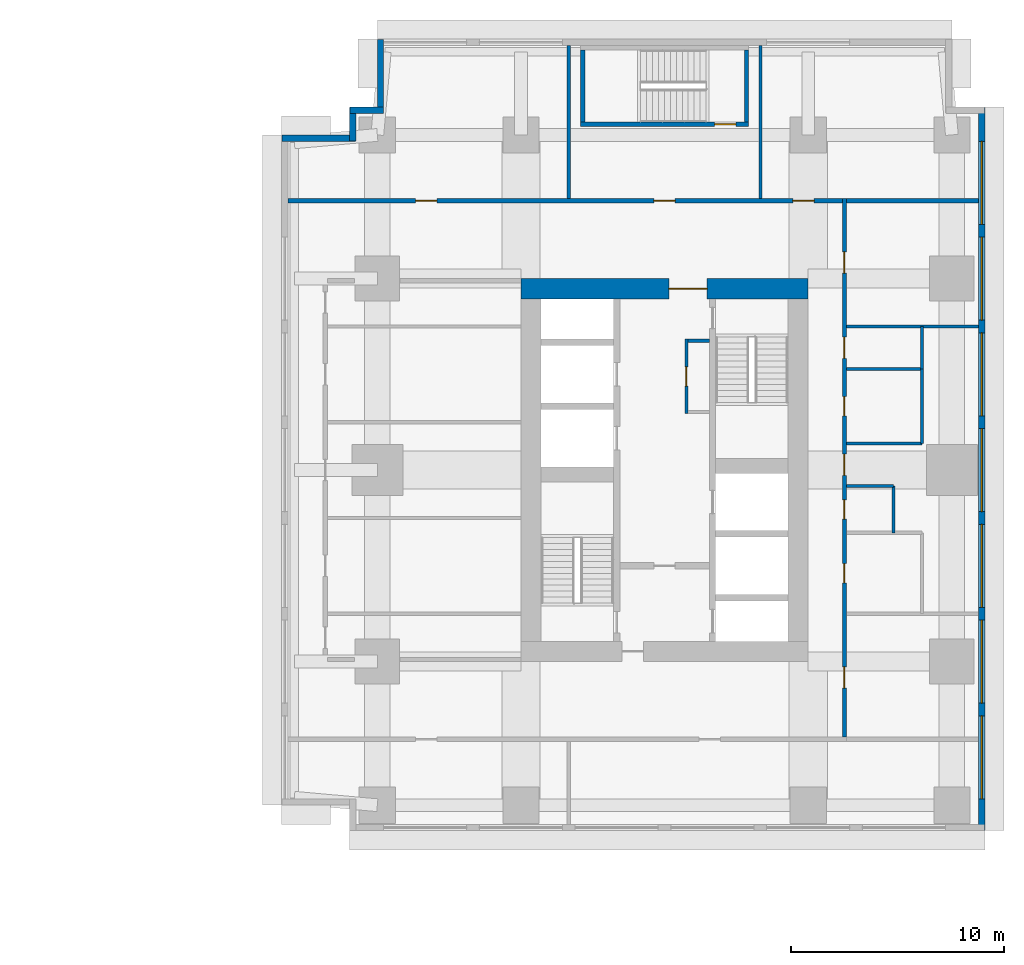
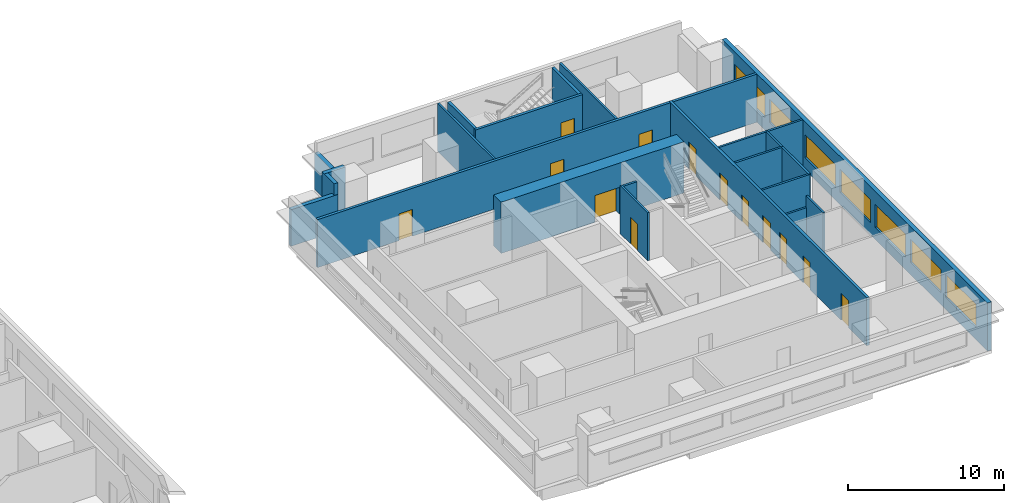
# One storey, part 7 of 11: 23 walls, 13 doors, 7 windows, 20 openings.
"""IFC4 building model written with IfcOpenShell, lengths in metres."""

from ifc_helpers import new_model, si_unit, direction, frame, frame_2d, origin, place, context, subcontext, project, spatial, rectangle, extrude, material, layer, layer_set, type_object, element, fill, save


model = new_model("IFC4")

# Units and contexts
model_context = context("Model", 3, precision=1e-05, world=origin(), true_north=direction((0.0, 1.0)))
body_context = subcontext(model_context, "Body", "Model", "MODEL_VIEW")
ifc_project = project(units=[si_unit("LENGTHUNIT", "METRE"), si_unit("AREAUNIT", "SQUARE_METRE"), si_unit("VOLUMEUNIT", "CUBIC_METRE"), si_unit("PLANEANGLEUNIT", "RADIAN"), si_unit("MASSUNIT", "GRAM", prefix="KILO")], contexts=[model_context])

# Site, building, storey
site_placement = place(None, origin())
site = spatial("IfcSite", under=ifc_project, at=site_placement, CompositionType="ELEMENT")
building_placement = place(site_placement, origin())
building = spatial("IfcBuilding", under=site, at=building_placement, Name="Namib Vertical Campus", CompositionType="ELEMENT")
storey_placement = place(building_placement, frame((0.0, 0.0, 93.0)))
storey = spatial("IfcBuildingStorey", under=building, at=storey_placement, Name="L21", CompositionType="ELEMENT", Elevation=93.0)

# Wall, opening, door
ifc_material_1 = material(Name="Concrete C60/75", Category="concrete")
ifc_layer_1 = layer(ifc_material_1, 0.949951171875)
ifc_layer_set_1 = layer_set([ifc_layer_1], Name="Concrete C60/75")
wall_type_1 = type_object("IfcWallType", Name="Core wall 950", PredefinedType="SHEAR", material=ifc_layer_set_1)
wall_1_placement = place(storey_placement, frame((87.75, 28.77490234375, 0.0), z_axis=(0.0, 0.0, 1.0), x_axis=(-1.0, 0.0, 0.0)))
wall_1 = element("IfcWall", 1, at=wall_1_placement, inside=storey, type_object=wall_type_1, Name="Core wall B L21 3", PredefinedType="SHEAR", context=body_context, shape_type="SweptSolid", body=[
    extrude(rectangle(XDim=13.5, YDim=0.949951171875, at=frame_2d((6.75, 0.0))), origin(), (0.0, 0.0, 1.0), 4.0),
])
opening_1_placement = place(wall_1_placement, frame((4.75, 0.0, 0.0)))
opening_1 = element("IfcOpeningElement", 2, at=opening_1_placement, cuts=wall_1, Name="Opening FD2", PredefinedType="OPENING", context=body_context, shape_type="SweptSolid", body=[
    extrude(rectangle(XDim=1.800048828125, YDim=2.10009765625, at=frame_2d((0.89990234375, 1.050048828125))), frame((0.0, 0.48486328125, 0.0), z_axis=(0.0, -1.0, 0.0), x_axis=(1.0, 0.0, 0.0)), (0.0, 0.0, 1.0), 0.969970703125),
])
ifc_material_2 = material(Name="Steel fire door", Category="steel")
door_type_1 = type_object("IfcDoorType", Name="Fire door double 1800x2100", OperationType="DOUBLE_DOOR_SINGLE_SWING", PredefinedType="DOOR", material=ifc_material_2)
door_1_placement = place(opening_1_placement, origin())
door_1 = element("IfcDoor", 3, at=door_1_placement, inside=storey, type_object=door_type_1, Name="Lift lobby door FD2 B L21", OperationType="DOUBLE_DOOR_SINGLE_SWING", OverallHeight=2.10009765625, OverallWidth=1.800048828125, PredefinedType="DOOR", context=body_context, shape_type="SweptSolid", body=[
    extrude(rectangle(XDim=1.800048828125, YDim=2.10009765625, at=frame_2d((0.89990234375, 1.050048828125))), frame((0.0, 0.02490234375, 0.0), z_axis=(0.0, -1.0, 0.0), x_axis=(1.0, 0.0, 0.0)), (0.0, 0.0, 1.0), 0.050048828125),
])
fill(opening_1, door_1)

# Wall, openings, doors
ifc_material_3 = material(Name="Concrete masonry", Category="masonry")
ifc_layer_2 = layer(ifc_material_3, 0.199951171875)
ifc_layer_set_2 = layer_set([ifc_layer_2], Name="Corridor wall 200")
wall_type_2 = type_object("IfcWallType", Name="Corridor wall 200", PredefinedType="SOLIDWALL", material=ifc_layer_set_2)
wall_2_placement = place(storey_placement, frame((89.449951171875, 7.699951171875, 0.0), z_axis=(0.0, 0.0, 1.0), x_axis=(0.0, 1.0, 0.0)))
wall_2 = element("IfcWall", 4, at=wall_2_placement, inside=storey, type_object=wall_type_2, Name="Corridor wall B L21 CE", PredefinedType="SOLIDWALL", context=body_context, shape_type="SweptSolid", body=[
    extrude(rectangle(XDim=25.300048828125, YDim=0.199951171875, at=frame_2d((12.64990234375, 0.0))), origin(), (0.0, 0.0, 1.0), 3.75),
])
opening_2_placement = place(wall_2_placement, frame((2.300048828125, 0.0, 0.0)))
opening_2 = element("IfcOpeningElement", 5, at=opening_2_placement, cuts=wall_2, Name="Opening CD1", PredefinedType="OPENING", context=body_context, shape_type="SweptSolid", body=[
    extrude(rectangle(XDim=1.0, YDim=2.10009765625, at=frame_2d((0.5, 1.050048828125))), frame((0.0, 0.10986328125, 0.0), z_axis=(0.0, -1.0, 0.0), x_axis=(1.0, 0.0, 0.0)), (0.0, 0.0, 1.0), 0.219970703125),
])
opening_3_placement = place(wall_2_placement, frame((7.25, 0.0, 0.0)))
opening_3 = element("IfcOpeningElement", 6, at=opening_3_placement, cuts=wall_2, Name="Opening CD3", PredefinedType="OPENING", context=body_context, shape_type="SweptSolid", body=[
    extrude(rectangle(XDim=0.89990234375, YDim=2.10009765625, at=frame_2d((0.449951171875, 1.050048828125))), frame((0.0, 0.10986328125, 0.0), z_axis=(0.0, -1.0, 0.0), x_axis=(1.0, 0.0, 0.0)), (0.0, 0.0, 1.0), 0.219970703125),
])
opening_4_placement = place(wall_2_placement, frame((10.25, 0.0, 0.0)))
opening_4 = element("IfcOpeningElement", 7, at=opening_4_placement, cuts=wall_2, Name="Opening CD3", PredefinedType="OPENING", context=body_context, shape_type="SweptSolid", body=[
    extrude(rectangle(XDim=0.89990234375, YDim=2.10009765625, at=frame_2d((0.449951171875, 1.050048828125))), frame((0.0, 0.10986328125, 0.0), z_axis=(0.0, -1.0, 0.0), x_axis=(1.0, 0.0, 0.0)), (0.0, 0.0, 1.0), 0.219970703125),
])
opening_5_placement = place(wall_2_placement, frame((15.10009765625, 0.0, 0.0)))
opening_5 = element("IfcOpeningElement", 8, at=opening_5_placement, cuts=wall_2, Name="Opening CD3", PredefinedType="OPENING", context=body_context, shape_type="SweptSolid", body=[
    extrude(rectangle(XDim=0.89990234375, YDim=2.10009765625, at=frame_2d((0.449951171875, 1.050048828125))), frame((0.0, 0.10986328125, 0.0), z_axis=(0.0, -1.0, 0.0), x_axis=(1.0, 0.0, 0.0)), (0.0, 0.0, 1.0), 0.219970703125),
])
opening_6_placement = place(wall_2_placement, frame((17.800048828125, 0.0, 0.0)))
opening_6 = element("IfcOpeningElement", 9, at=opening_6_placement, cuts=wall_2, Name="Opening CD1", PredefinedType="OPENING", context=body_context, shape_type="SweptSolid", body=[
    extrude(rectangle(XDim=1.0, YDim=2.10009765625, at=frame_2d((0.5, 1.050048828125))), frame((0.0, 0.10986328125, 0.0), z_axis=(0.0, -1.0, 0.0), x_axis=(1.0, 0.0, 0.0)), (0.0, 0.0, 1.0), 0.219970703125),
])
opening_7_placement = place(wall_2_placement, frame((12.300048828125, 0.0, 0.0)))
opening_7 = element("IfcOpeningElement", 10, at=opening_7_placement, cuts=wall_2, Name="Opening CD1", PredefinedType="OPENING", context=body_context, shape_type="SweptSolid", body=[
    extrude(rectangle(XDim=1.0, YDim=2.10009765625, at=frame_2d((0.5, 1.050048828125))), frame((0.0, 0.10986328125, 0.0), z_axis=(0.0, -1.0, 0.0), x_axis=(1.0, 0.0, 0.0)), (0.0, 0.0, 1.0), 0.219970703125),
])
opening_8_placement = place(wall_2_placement, frame((21.800048828125, 0.0, 0.0)))
opening_8 = element("IfcOpeningElement", 11, at=opening_8_placement, cuts=wall_2, Name="Opening CD1", PredefinedType="OPENING", context=body_context, shape_type="SweptSolid", body=[
    extrude(rectangle(XDim=1.0, YDim=2.10009765625, at=frame_2d((0.5, 1.050048828125))), frame((0.0, 0.10986328125, 0.0), z_axis=(0.0, -1.0, 0.0), x_axis=(1.0, 0.0, 0.0)), (0.0, 0.0, 1.0), 0.219970703125),
])
ifc_material_4 = material(Name="Timber fire door leaf", Category="wood")
door_type_2 = type_object("IfcDoorType", Name="Corridor door 1000x2100 20 min", OperationType="SINGLE_SWING_LEFT", PredefinedType="DOOR", material=ifc_material_4)
door_2_placement = place(opening_2_placement, frame((1.0, 0.0, 0.0), z_axis=(0.0, 0.0, 1.0), x_axis=(-1.0, 0.0, 0.0)))
door_2 = element("IfcDoor", 12, at=door_2_placement, inside=storey, type_object=door_type_2, Name="Door CD1 B21-03", OperationType="SINGLE_SWING_RIGHT", OverallHeight=2.10009765625, OverallWidth=1.0, PredefinedType="DOOR", context=body_context, shape_type="SweptSolid", body=[
    extrude(rectangle(XDim=1.0, YDim=2.10009765625, at=frame_2d((0.5, 1.050048828125))), frame((0.0, 0.02490234375, 0.0), z_axis=(0.0, -1.0, 0.0), x_axis=(1.0, 0.0, 0.0)), (0.0, 0.0, 1.0), 0.050048828125),
])
fill(opening_2, door_2)
door_3_placement = place(opening_6_placement, frame((1.0, 0.0, 0.0), z_axis=(0.0, 0.0, 1.0), x_axis=(-1.0, 0.0, 0.0)))
door_3 = element("IfcDoor", 13, at=door_3_placement, inside=storey, type_object=door_type_2, Name="Door CD1 B21-07", OperationType="SINGLE_SWING_RIGHT", OverallHeight=2.10009765625, OverallWidth=1.0, PredefinedType="DOOR", context=body_context, shape_type="SweptSolid", body=[
    extrude(rectangle(XDim=1.0, YDim=2.10009765625, at=frame_2d((0.5, 1.050048828125))), frame((0.0, 0.02490234375, 0.0), z_axis=(0.0, -1.0, 0.0), x_axis=(1.0, 0.0, 0.0)), (0.0, 0.0, 1.0), 0.050048828125),
])
fill(opening_6, door_3)
door_4_placement = place(opening_7_placement, frame((1.0, 0.0, 0.0), z_axis=(0.0, 0.0, 1.0), x_axis=(-1.0, 0.0, 0.0)))
door_4 = element("IfcDoor", 14, at=door_4_placement, inside=storey, type_object=door_type_2, Name="Door CD1 B21-08", OperationType="SINGLE_SWING_RIGHT", OverallHeight=2.10009765625, OverallWidth=1.0, PredefinedType="DOOR", context=body_context, shape_type="SweptSolid", body=[
    extrude(rectangle(XDim=1.0, YDim=2.10009765625, at=frame_2d((0.5, 1.050048828125))), frame((0.0, 0.02490234375, 0.0), z_axis=(0.0, -1.0, 0.0), x_axis=(1.0, 0.0, 0.0)), (0.0, 0.0, 1.0), 0.050048828125),
])
fill(opening_7, door_4)
door_5_placement = place(opening_8_placement, frame((1.0, 0.0, 0.0), z_axis=(0.0, 0.0, 1.0), x_axis=(-1.0, 0.0, 0.0)))
door_5 = element("IfcDoor", 15, at=door_5_placement, inside=storey, type_object=door_type_2, Name="Door CD1 B21-09", OperationType="SINGLE_SWING_RIGHT", OverallHeight=2.10009765625, OverallWidth=1.0, PredefinedType="DOOR", context=body_context, shape_type="SweptSolid", body=[
    extrude(rectangle(XDim=1.0, YDim=2.10009765625, at=frame_2d((0.5, 1.050048828125))), frame((0.0, 0.02490234375, 0.0), z_axis=(0.0, -1.0, 0.0), x_axis=(1.0, 0.0, 0.0)), (0.0, 0.0, 1.0), 0.050048828125),
])
fill(opening_8, door_5)
ifc_material_5 = material(Name="Timber fire door leaf", Category="wood")
door_type_3 = type_object("IfcDoorType", Name="Corridor toilet door 900x2100 20 min", OperationType="SINGLE_SWING_LEFT", PredefinedType="DOOR", material=ifc_material_5)
door_6_placement = place(opening_3_placement, frame((0.89990234375, 0.0, 0.0), z_axis=(0.0, 0.0, 1.0), x_axis=(-1.0, 0.0, 0.0)))
door_6 = element("IfcDoor", 16, at=door_6_placement, inside=storey, type_object=door_type_3, Name="Door CD3 B21-04", OperationType="SINGLE_SWING_RIGHT", OverallHeight=2.10009765625, OverallWidth=0.89990234375, PredefinedType="DOOR", context=body_context, shape_type="SweptSolid", body=[
    extrude(rectangle(XDim=0.89990234375, YDim=2.10009765625, at=frame_2d((0.449951171875, 1.050048828125))), frame((0.0, 0.02490234375, 0.0), z_axis=(0.0, -1.0, 0.0), x_axis=(1.0, 0.0, 0.0)), (0.0, 0.0, 1.0), 0.050048828125),
])
fill(opening_3, door_6)
door_7_placement = place(opening_4_placement, frame((0.89990234375, 0.0, 0.0), z_axis=(0.0, 0.0, 1.0), x_axis=(-1.0, 0.0, 0.0)))
door_7 = element("IfcDoor", 17, at=door_7_placement, inside=storey, type_object=door_type_3, Name="Door CD3 B21-05", OperationType="SINGLE_SWING_RIGHT", OverallHeight=2.10009765625, OverallWidth=0.89990234375, PredefinedType="DOOR", context=body_context, shape_type="SweptSolid", body=[
    extrude(rectangle(XDim=0.89990234375, YDim=2.10009765625, at=frame_2d((0.449951171875, 1.050048828125))), frame((0.0, 0.02490234375, 0.0), z_axis=(0.0, -1.0, 0.0), x_axis=(1.0, 0.0, 0.0)), (0.0, 0.0, 1.0), 0.050048828125),
])
fill(opening_4, door_7)
door_8_placement = place(opening_5_placement, frame((0.89990234375, 0.0, 0.0), z_axis=(0.0, 0.0, 1.0), x_axis=(-1.0, 0.0, 0.0)))
door_8 = element("IfcDoor", 18, at=door_8_placement, inside=storey, type_object=door_type_3, Name="Door CD3 B21-06", OperationType="SINGLE_SWING_RIGHT", OverallHeight=2.10009765625, OverallWidth=0.89990234375, PredefinedType="DOOR", context=body_context, shape_type="SweptSolid", body=[
    extrude(rectangle(XDim=0.89990234375, YDim=2.10009765625, at=frame_2d((0.449951171875, 1.050048828125))), frame((0.0, 0.02490234375, 0.0), z_axis=(0.0, -1.0, 0.0), x_axis=(1.0, 0.0, 0.0)), (0.0, 0.0, 1.0), 0.050048828125),
])
fill(opening_5, door_8)

wall_3_placement = place(storey_placement, frame((89.35009765625, 32.89990234375, 0.0), z_axis=(0.0, 0.0, 1.0), x_axis=(-1.0, 0.0, 0.0)))
wall_3 = element("IfcWall", 19, at=wall_3_placement, inside=storey, type_object=wall_type_2, Name="Corridor wall B L21 CN", PredefinedType="SOLIDWALL", context=body_context, shape_type="SweptSolid", body=[
    extrude(rectangle(XDim=26.050048828125, YDim=0.199951171875, at=frame_2d((13.02490234375, 0.0))), origin(), (0.0, 0.0, 1.0), 3.75),
])
opening_9_placement = place(wall_3_placement, frame((19.050048828125, 0.0, 0.0)))
opening_9 = element("IfcOpeningElement", 20, at=opening_9_placement, cuts=wall_3, Name="Opening CD1", PredefinedType="OPENING", context=body_context, shape_type="SweptSolid", body=[
    extrude(rectangle(XDim=1.0, YDim=2.10009765625, at=frame_2d((0.5, 1.050048828125))), frame((0.0, 0.10986328125, 0.0), z_axis=(0.0, -1.0, 0.0), x_axis=(1.0, 0.0, 0.0)), (0.0, 0.0, 1.0), 0.219970703125),
])
opening_10_placement = place(wall_3_placement, frame((7.85009765625, 0.0, 0.0)))
opening_10 = element("IfcOpeningElement", 21, at=opening_10_placement, cuts=wall_3, Name="Opening CD1", PredefinedType="OPENING", context=body_context, shape_type="SweptSolid", body=[
    extrude(rectangle(XDim=1.0, YDim=2.10009765625, at=frame_2d((0.5, 1.050048828125))), frame((0.0, 0.10986328125, 0.0), z_axis=(0.0, -1.0, 0.0), x_axis=(1.0, 0.0, 0.0)), (0.0, 0.0, 1.0), 0.219970703125),
])
opening_11_placement = place(wall_3_placement, frame((1.324951171875, 0.0, 0.0)))
opening_11 = element("IfcOpeningElement", 22, at=opening_11_placement, cuts=wall_3, Name="Opening CD1", PredefinedType="OPENING", context=body_context, shape_type="SweptSolid", body=[
    extrude(rectangle(XDim=1.0, YDim=2.10009765625, at=frame_2d((0.5, 1.050048828125))), frame((0.0, 0.10986328125, 0.0), z_axis=(0.0, -1.0, 0.0), x_axis=(1.0, 0.0, 0.0)), (0.0, 0.0, 1.0), 0.219970703125),
])
door_9_placement = place(opening_9_placement, frame((1.0, 0.0, 0.0), z_axis=(0.0, 0.0, 1.0), x_axis=(-1.0, 0.0, 0.0)))
door_9 = element("IfcDoor", 23, at=door_9_placement, inside=storey, type_object=door_type_2, Name="Door CD1 B21-10", OperationType="SINGLE_SWING_RIGHT", OverallHeight=2.10009765625, OverallWidth=1.0, PredefinedType="DOOR", context=body_context, shape_type="SweptSolid", body=[
    extrude(rectangle(XDim=1.0, YDim=2.10009765625, at=frame_2d((0.5, 1.050048828125))), frame((0.0, 0.02490234375, 0.0), z_axis=(0.0, -1.0, 0.0), x_axis=(1.0, 0.0, 0.0)), (0.0, 0.0, 1.0), 0.050048828125),
])
fill(opening_9, door_9)
door_10_placement = place(opening_10_placement, frame((1.0, 0.0, 0.0), z_axis=(0.0, 0.0, 1.0), x_axis=(-1.0, 0.0, 0.0)))
door_10 = element("IfcDoor", 24, at=door_10_placement, inside=storey, type_object=door_type_2, Name="Door CD1 B21-11", OperationType="SINGLE_SWING_RIGHT", OverallHeight=2.10009765625, OverallWidth=1.0, PredefinedType="DOOR", context=body_context, shape_type="SweptSolid", body=[
    extrude(rectangle(XDim=1.0, YDim=2.10009765625, at=frame_2d((0.5, 1.050048828125))), frame((0.0, 0.02490234375, 0.0), z_axis=(0.0, -1.0, 0.0), x_axis=(1.0, 0.0, 0.0)), (0.0, 0.0, 1.0), 0.050048828125),
])
fill(opening_10, door_10)
door_11_placement = place(opening_11_placement, frame((1.0, 0.0, 0.0), z_axis=(0.0, 0.0, 1.0), x_axis=(-1.0, 0.0, 0.0)))
door_11 = element("IfcDoor", 25, at=door_11_placement, inside=storey, type_object=door_type_2, Name="Door CD1 B21-12", OperationType="SINGLE_SWING_LEFT", OverallHeight=2.10009765625, OverallWidth=1.0, PredefinedType="DOOR", context=body_context, shape_type="SweptSolid", body=[
    extrude(rectangle(XDim=1.0, YDim=2.10009765625, at=frame_2d((0.5, 1.050048828125))), frame((0.0, 0.02490234375, 0.0), z_axis=(0.0, -1.0, 0.0), x_axis=(1.0, 0.0, 0.0)), (0.0, 0.0, 1.0), 0.050048828125),
])
fill(opening_11, door_11)

# Wall
wall_4_placement = place(storey_placement, frame((89.550048828125, 32.89990234375, 0.0), z_axis=(0.0, 0.0, 1.0), x_axis=(1.0, 0.0, 0.0)))
element("IfcWall", 26, at=wall_4_placement, inside=storey, type_object=wall_type_2, Name="Partition B L21 BNE", PredefinedType="SOLIDWALL", context=body_context, shape_type="SweptSolid", body=[
    extrude(rectangle(XDim=6.199951171875, YDim=0.199951171875, at=frame_2d((3.10009765625, 0.0))), origin(), (0.0, 0.0, 1.0), 3.75),
])

# Wall, openings, windows
ifc_material_6 = material(Name="Concrete C40/50", Category="concrete")
ifc_layer_3 = layer(ifc_material_6, 0.300048828125)
ifc_layer_set_3 = layer_set([ifc_layer_3], Name="Concrete C40/50")
wall_type_3 = type_object("IfcWallType", Name="External wall 300 board-marked concrete", PredefinedType="STANDARD", material=ifc_layer_set_3)
wall_5_placement = place(storey_placement, frame((95.89990234375, 3.320068359375, 0.0), z_axis=(0.0, 0.0, 1.0), x_axis=(0.0, 1.0, 0.0)))
wall_5 = element("IfcWall", 27, at=wall_5_placement, inside=storey, type_object=wall_type_3, Name="External wall L21 F04", PredefinedType="STANDARD", context=body_context, shape_type="SweptSolid", body=[
    extrude(rectangle(XDim=33.9599609375, YDim=0.300048828125, at=frame_2d((16.97998046875, 0.0))), origin(), (0.0, 0.0, 1.0), 3.75),
])
opening_12_placement = place(wall_5_placement, frame((1.47998046875, 0.0, 0.949951171875)))
opening_12 = element("IfcOpeningElement", 28, at=opening_12_placement, cuts=wall_5, Name="Opening W3", PredefinedType="OPENING", context=body_context, shape_type="SweptSolid", body=[
    extrude(rectangle(XDim=3.89990234375, YDim=1.800048828125, at=frame_2d((1.949951171875, 0.89990234375))), frame((0.0, 0.159912109375, 0.0), z_axis=(0.0, -1.0, 0.0), x_axis=(1.0, 0.0, 0.0)), (0.0, 0.0, 1.0), 0.320068359375),
])
opening_13_placement = place(wall_5_placement, frame((5.97998046875, 0.0, 0.949951171875)))
opening_13 = element("IfcOpeningElement", 29, at=opening_13_placement, cuts=wall_5, Name="Opening W3", PredefinedType="OPENING", context=body_context, shape_type="SweptSolid", body=[
    extrude(rectangle(XDim=3.89990234375, YDim=1.800048828125, at=frame_2d((1.949951171875, 0.89990234375))), frame((0.0, 0.159912109375, 0.0), z_axis=(0.0, -1.0, 0.0), x_axis=(1.0, 0.0, 0.0)), (0.0, 0.0, 1.0), 0.320068359375),
])
opening_14_placement = place(wall_5_placement, frame((10.47998046875, 0.0, 0.949951171875)))
opening_14 = element("IfcOpeningElement", 30, at=opening_14_placement, cuts=wall_5, Name="Opening W3", PredefinedType="OPENING", context=body_context, shape_type="SweptSolid", body=[
    extrude(rectangle(XDim=3.89990234375, YDim=1.800048828125, at=frame_2d((1.949951171875, 0.89990234375))), frame((0.0, 0.159912109375, 0.0), z_axis=(0.0, -1.0, 0.0), x_axis=(1.0, 0.0, 0.0)), (0.0, 0.0, 1.0), 0.320068359375),
])
opening_15_placement = place(wall_5_placement, frame((14.97998046875, 0.0, 0.949951171875)))
opening_15 = element("IfcOpeningElement", 31, at=opening_15_placement, cuts=wall_5, Name="Opening W3", PredefinedType="OPENING", context=body_context, shape_type="SweptSolid", body=[
    extrude(rectangle(XDim=3.89990234375, YDim=1.800048828125, at=frame_2d((1.949951171875, 0.89990234375))), frame((0.0, 0.159912109375, 0.0), z_axis=(0.0, -1.0, 0.0), x_axis=(1.0, 0.0, 0.0)), (0.0, 0.0, 1.0), 0.320068359375),
])
opening_16_placement = place(wall_5_placement, frame((19.47998046875, 0.0, 0.949951171875)))
opening_16 = element("IfcOpeningElement", 32, at=opening_16_placement, cuts=wall_5, Name="Opening W3", PredefinedType="OPENING", context=body_context, shape_type="SweptSolid", body=[
    extrude(rectangle(XDim=3.89990234375, YDim=1.800048828125, at=frame_2d((1.949951171875, 0.89990234375))), frame((0.0, 0.159912109375, 0.0), z_axis=(0.0, -1.0, 0.0), x_axis=(1.0, 0.0, 0.0)), (0.0, 0.0, 1.0), 0.320068359375),
])
opening_17_placement = place(wall_5_placement, frame((23.97998046875, 0.0, 0.949951171875)))
opening_17 = element("IfcOpeningElement", 33, at=opening_17_placement, cuts=wall_5, Name="Opening W3", PredefinedType="OPENING", context=body_context, shape_type="SweptSolid", body=[
    extrude(rectangle(XDim=3.89990234375, YDim=1.800048828125, at=frame_2d((1.949951171875, 0.89990234375))), frame((0.0, 0.159912109375, 0.0), z_axis=(0.0, -1.0, 0.0), x_axis=(1.0, 0.0, 0.0)), (0.0, 0.0, 1.0), 0.320068359375),
])
opening_18_placement = place(wall_5_placement, frame((28.47998046875, 0.0, 0.949951171875)))
opening_18 = element("IfcOpeningElement", 34, at=opening_18_placement, cuts=wall_5, Name="Opening W3", PredefinedType="OPENING", context=body_context, shape_type="SweptSolid", body=[
    extrude(rectangle(XDim=3.89990234375, YDim=1.800048828125, at=frame_2d((1.949951171875, 0.89990234375))), frame((0.0, 0.159912109375, 0.0), z_axis=(0.0, -1.0, 0.0), x_axis=(1.0, 0.0, 0.0)), (0.0, 0.0, 1.0), 0.320068359375),
])
ifc_material_7 = material(Name="Dark tinted glass in black aluminium frame", Category="aluminium")
window_type = type_object("IfcWindowType", Name="Ribbon window 3900x1800", PartitioningType="SINGLE_PANEL", PredefinedType="WINDOW", material=ifc_material_7)
window_1_placement = place(opening_12_placement, origin())
window_1 = element("IfcWindow", 35, at=window_1_placement, inside=storey, type_object=window_type, Name="Window W3 L21 F04-1", OverallHeight=1.800048828125, OverallWidth=3.89990234375, PartitioningType="SINGLE_PANEL", PredefinedType="WINDOW", context=body_context, shape_type="SweptSolid", body=[
    extrude(rectangle(XDim=3.89990234375, YDim=1.800048828125, at=frame_2d((1.949951171875, 0.89990234375))), frame((0.0, 0.030029296875, 0.0), z_axis=(0.0, -1.0, 0.0), x_axis=(1.0, 0.0, 0.0)), (0.0, 0.0, 1.0), 0.06005859375),
])
fill(opening_12, window_1)
window_2_placement = place(opening_13_placement, origin())
window_2 = element("IfcWindow", 36, at=window_2_placement, inside=storey, type_object=window_type, Name="Window W3 L21 F04-2", OverallHeight=1.800048828125, OverallWidth=3.89990234375, PartitioningType="SINGLE_PANEL", PredefinedType="WINDOW", context=body_context, shape_type="SweptSolid", body=[
    extrude(rectangle(XDim=3.89990234375, YDim=1.800048828125, at=frame_2d((1.949951171875, 0.89990234375))), frame((0.0, 0.030029296875, 0.0), z_axis=(0.0, -1.0, 0.0), x_axis=(1.0, 0.0, 0.0)), (0.0, 0.0, 1.0), 0.06005859375),
])
fill(opening_13, window_2)
window_3_placement = place(opening_14_placement, origin())
window_3 = element("IfcWindow", 37, at=window_3_placement, inside=storey, type_object=window_type, Name="Window W3 L21 F04-3", OverallHeight=1.800048828125, OverallWidth=3.89990234375, PartitioningType="SINGLE_PANEL", PredefinedType="WINDOW", context=body_context, shape_type="SweptSolid", body=[
    extrude(rectangle(XDim=3.89990234375, YDim=1.800048828125, at=frame_2d((1.949951171875, 0.89990234375))), frame((0.0, 0.030029296875, 0.0), z_axis=(0.0, -1.0, 0.0), x_axis=(1.0, 0.0, 0.0)), (0.0, 0.0, 1.0), 0.06005859375),
])
fill(opening_14, window_3)
window_4_placement = place(opening_15_placement, origin())
window_4 = element("IfcWindow", 38, at=window_4_placement, inside=storey, type_object=window_type, Name="Window W3 L21 F04-4", OverallHeight=1.800048828125, OverallWidth=3.89990234375, PartitioningType="SINGLE_PANEL", PredefinedType="WINDOW", context=body_context, shape_type="SweptSolid", body=[
    extrude(rectangle(XDim=3.89990234375, YDim=1.800048828125, at=frame_2d((1.949951171875, 0.89990234375))), frame((0.0, 0.030029296875, 0.0), z_axis=(0.0, -1.0, 0.0), x_axis=(1.0, 0.0, 0.0)), (0.0, 0.0, 1.0), 0.06005859375),
])
fill(opening_15, window_4)
window_5_placement = place(opening_16_placement, origin())
window_5 = element("IfcWindow", 39, at=window_5_placement, inside=storey, type_object=window_type, Name="Window W3 L21 F04-5", OverallHeight=1.800048828125, OverallWidth=3.89990234375, PartitioningType="SINGLE_PANEL", PredefinedType="WINDOW", context=body_context, shape_type="SweptSolid", body=[
    extrude(rectangle(XDim=3.89990234375, YDim=1.800048828125, at=frame_2d((1.949951171875, 0.89990234375))), frame((0.0, 0.030029296875, 0.0), z_axis=(0.0, -1.0, 0.0), x_axis=(1.0, 0.0, 0.0)), (0.0, 0.0, 1.0), 0.06005859375),
])
fill(opening_16, window_5)
window_6_placement = place(opening_17_placement, origin())
window_6 = element("IfcWindow", 40, at=window_6_placement, inside=storey, type_object=window_type, Name="Window W3 L21 F04-6", OverallHeight=1.800048828125, OverallWidth=3.89990234375, PartitioningType="SINGLE_PANEL", PredefinedType="WINDOW", context=body_context, shape_type="SweptSolid", body=[
    extrude(rectangle(XDim=3.89990234375, YDim=1.800048828125, at=frame_2d((1.949951171875, 0.89990234375))), frame((0.0, 0.030029296875, 0.0), z_axis=(0.0, -1.0, 0.0), x_axis=(1.0, 0.0, 0.0)), (0.0, 0.0, 1.0), 0.06005859375),
])
fill(opening_17, window_6)
window_7_placement = place(opening_18_placement, origin())
window_7 = element("IfcWindow", 41, at=window_7_placement, inside=storey, type_object=window_type, Name="Window W3 L21 F04-7", OverallHeight=1.800048828125, OverallWidth=3.89990234375, PartitioningType="SINGLE_PANEL", PredefinedType="WINDOW", context=body_context, shape_type="SweptSolid", body=[
    extrude(rectangle(XDim=3.89990234375, YDim=1.800048828125, at=frame_2d((1.949951171875, 0.89990234375))), frame((0.0, 0.030029296875, 0.0), z_axis=(0.0, -1.0, 0.0), x_axis=(1.0, 0.0, 0.0)), (0.0, 0.0, 1.0), 0.06005859375),
])
fill(opening_18, window_7)

# Walls
wall_6_placement = place(storey_placement, frame((67.64990234375, 40.47998046875, 0.0), z_axis=(0.0, 0.0, 1.0), x_axis=(0.0, -1.0, 0.0)))
element("IfcWall", 42, at=wall_6_placement, inside=storey, type_object=wall_type_3, Name="External wall L21 F08", PredefinedType="STANDARD", context=body_context, shape_type="SweptSolid", body=[
    extrude(rectangle(XDim=3.4599609375, YDim=0.300048828125, at=frame_2d((1.72998046875, 0.0))), origin(), (0.0, 0.0, 1.0), 2.85009765625),
])
for number, where, z_axis, x_axis, name in (
    (43, (67.780029296875, 37.14990234375, 0.0), (0.0, 0.0, 1.0), (-1.0, 0.0, 0.0), "External wall L21 F09"),
    (44, (66.35009765625, 37.280029296875, 0.0), (0.0, 0.0, 1.0), (0.0, -1.0, 0.0), "External wall L21 F10"),
):
    element("IfcWall", number, at=place(storey_placement, frame(where, z_axis=z_axis, x_axis=x_axis)), inside=storey, type_object=wall_type_3, Name=name, PredefinedType="STANDARD", context=body_context, shape_type="SweptSolid", body=[
        extrude(rectangle(XDim=1.56005859375, YDim=0.300048828125, at=frame_2d((0.780029296875, 0.0))), origin(), (0.0, 0.0, 1.0), 3.75),
    ])
wall_7_placement = place(storey_placement, frame((66.47998046875, 35.85009765625, 0.0), z_axis=(0.0, 0.0, 1.0), x_axis=(-1.0, 0.0, 0.0)))
element("IfcWall", 45, at=wall_7_placement, inside=storey, type_object=wall_type_3, Name="External wall L21 F11", PredefinedType="STANDARD", context=body_context, shape_type="SweptSolid", body=[
    extrude(rectangle(XDim=3.4599609375, YDim=0.300048828125, at=frame_2d((1.72998046875, 0.0))), origin(), (0.0, 0.0, 1.0), 2.85009765625),
])

# Wall, opening, door
ifc_material_8 = material(Name="Gypsum board on steel studs", Category="steel")
ifc_layer_4 = layer(ifc_material_8, 0.14990234375)
ifc_layer_set_4 = layer_set([ifc_layer_4], Name="Gypsum board on steel studs")
wall_type_4 = type_object("IfcWallType", Name="Partition 150", PredefinedType="PARTITIONING", material=ifc_layer_set_4)
wall_8_placement = place(storey_placement, frame((82.02490234375, 22.89990234375, 0.0), z_axis=(0.0, 0.0, 1.0), x_axis=(0.0, 1.0, 0.0)))
wall_8 = element("IfcWall", 46, at=wall_8_placement, inside=storey, type_object=wall_type_4, Name="Partition B L21 Staff pantry front", PredefinedType="PARTITIONING", context=body_context, shape_type="SweptSolid", body=[
    extrude(rectangle(XDim=3.5, YDim=0.14990234375, at=frame_2d((1.75, 0.0))), origin(), (0.0, 0.0, 1.0), 3.75),
])
opening_19_placement = place(wall_8_placement, frame((1.300048828125, 0.0, 0.0)))
opening_19 = element("IfcOpeningElement", 47, at=opening_19_placement, cuts=wall_8, Name="Opening D3", PredefinedType="OPENING", context=body_context, shape_type="SweptSolid", body=[
    extrude(rectangle(XDim=0.89990234375, YDim=2.10009765625, at=frame_2d((0.449951171875, 1.050048828125))), frame((0.0, 0.0849609375, 0.0), z_axis=(0.0, -1.0, 0.0), x_axis=(1.0, 0.0, 0.0)), (0.0, 0.0, 1.0), 0.169921875),
])
ifc_material_9 = material(Name="Timber door leaf", Category="wood")
door_type_4 = type_object("IfcDoorType", Name="Toilet door 900x2100", OperationType="SINGLE_SWING_LEFT", PredefinedType="DOOR", material=ifc_material_9)
door_12_placement = place(opening_19_placement, frame((0.89990234375, 0.0, 0.0), z_axis=(0.0, 0.0, 1.0), x_axis=(-1.0, 0.0, 0.0)))
door_12 = element("IfcDoor", 48, at=door_12_placement, inside=storey, type_object=door_type_4, Name="Door D3 Staff pantry B L21", OperationType="SINGLE_SWING_RIGHT", OverallHeight=2.10009765625, OverallWidth=0.89990234375, PredefinedType="DOOR", context=body_context, shape_type="SweptSolid", body=[
    extrude(rectangle(XDim=0.89990234375, YDim=2.10009765625, at=frame_2d((0.449951171875, 1.050048828125))), frame((0.0, 0.02490234375, 0.0), z_axis=(0.0, -1.0, 0.0), x_axis=(1.0, 0.0, 0.0)), (0.0, 0.0, 1.0), 0.050048828125),
])
fill(opening_19, door_12)

# Walls
wall_9_placement = place(storey_placement, frame((82.10009765625, 26.324951171875, 0.0), z_axis=(0.0, 0.0, 1.0), x_axis=(1.0, 0.0, 0.0)))
element("IfcWall", 49, at=wall_9_placement, inside=storey, type_object=wall_type_4, Name="Partition B L21 Staff pantry end 2", PredefinedType="PARTITIONING", context=body_context, shape_type="SweptSolid", body=[
    extrude(rectangle(XDim=1.0, YDim=0.14990234375, at=frame_2d((0.5, 0.0))), origin(), (0.0, 0.0, 1.0), 3.75),
])
for number, where, z_axis, x_axis, name in (
    (50, (76.5, 33.0, 0.0), (0.0, 0.0, 1.0), (0.0, 1.0, 0.0), "Partition B L21 PN1"),
    (51, (85.5, 33.0, 0.0), (0.0, 0.0, 1.0), (0.0, 1.0, 0.0), "Partition B L21 PN2"),
):
    element("IfcWall", number, at=place(storey_placement, frame(where, z_axis=z_axis, x_axis=x_axis)), inside=storey, type_object=wall_type_4, Name=name, PredefinedType="PARTITIONING", context=body_context, shape_type="SweptSolid", body=[
        extrude(rectangle(XDim=7.199951171875, YDim=0.14990234375, at=frame_2d((3.60009765625, 0.0))), origin(), (0.0, 0.0, 1.0), 3.75),
    ])
wall_10_placement = place(storey_placement, frame((89.550048828125, 27.0, 0.0), z_axis=(0.0, 0.0, 1.0), x_axis=(1.0, 0.0, 0.0)))
element("IfcWall", 52, at=wall_10_placement, inside=storey, type_object=wall_type_4, Name="Partition B L21 PE2", PredefinedType="PARTITIONING", context=body_context, shape_type="SweptSolid", body=[
    extrude(rectangle(XDim=6.199951171875, YDim=0.14990234375, at=frame_2d((3.10009765625, 0.0))), origin(), (0.0, 0.0, 1.0), 3.75),
])
wall_11_placement = place(storey_placement, frame((89.550048828125, 19.5, 0.0), z_axis=(0.0, 0.0, 1.0), x_axis=(1.0, 0.0, 0.0)))
element("IfcWall", 53, at=wall_11_placement, inside=storey, type_object=wall_type_4, Name="Partition B L21 WR2", PredefinedType="PARTITIONING", context=body_context, shape_type="SweptSolid", body=[
    extrude(rectangle(XDim=2.199951171875, YDim=0.14990234375, at=frame_2d((1.10009765625, 0.0))), origin(), (0.0, 0.0, 1.0), 2.85009765625),
])
for number, where, z_axis, x_axis, name in (
    (54, (89.550048828125, 21.5, 0.0), (0.0, 0.0, 1.0), (1.0, 0.0, 0.0), "Partition B L21 WR3"),
    (55, (89.550048828125, 25.0, 0.0), (0.0, 0.0, 1.0), (1.0, 0.0, 0.0), "Partition B L21 WR4"),
):
    element("IfcWall", number, at=place(storey_placement, frame(where, z_axis=z_axis, x_axis=x_axis)), inside=storey, type_object=wall_type_4, Name=name, PredefinedType="PARTITIONING", context=body_context, shape_type="SweptSolid", body=[
        extrude(rectangle(XDim=3.550048828125, YDim=0.14990234375, at=frame_2d((1.77490234375, 0.0))), origin(), (0.0, 0.0, 1.0), 3.75),
    ])
wall_12_placement = place(storey_placement, frame((91.75, 17.300048828125, 0.0), z_axis=(0.0, 0.0, 1.0), x_axis=(0.0, 1.0, 0.0)))
element("IfcWall", 56, at=wall_12_placement, inside=storey, type_object=wall_type_4, Name="Partition B L21 WB2", PredefinedType="PARTITIONING", context=body_context, shape_type="SweptSolid", body=[
    extrude(rectangle(XDim=2.199951171875, YDim=0.14990234375, at=frame_2d((1.10009765625, 0.0))), origin(), (0.0, 0.0, 1.0), 3.75),
])
wall_13_placement = place(storey_placement, frame((93.10009765625, 21.5, 0.0), z_axis=(0.0, 0.0, 1.0), x_axis=(0.0, 1.0, 0.0)))
element("IfcWall", 57, at=wall_13_placement, inside=storey, type_object=wall_type_4, Name="Partition B L21 WB3", PredefinedType="PARTITIONING", context=body_context, shape_type="SweptSolid", body=[
    extrude(rectangle(XDim=3.5, YDim=0.14990234375, at=frame_2d((1.75, 0.0))), origin(), (0.0, 0.0, 1.0), 3.75),
])
wall_14_placement = place(storey_placement, frame((93.10009765625, 25.0, 0.0), z_axis=(0.0, 0.0, 1.0), x_axis=(0.0, 1.0, 0.0)))
element("IfcWall", 58, at=wall_14_placement, inside=storey, type_object=wall_type_4, Name="Partition B L21 WB4", PredefinedType="PARTITIONING", context=body_context, shape_type="SweptSolid", body=[
    extrude(rectangle(XDim=2.0, YDim=0.14990234375, at=frame_2d((1.0, 0.0))), origin(), (0.0, 0.0, 1.0), 3.75),
])

# Wall, opening, door
ifc_material_10 = material(Name="Concrete C40/50", Category="concrete")
ifc_layer_5 = layer(ifc_material_10, 0.199951171875)
ifc_layer_set_5 = layer_set([ifc_layer_5], Name="Concrete C40/50")
wall_type_5 = type_object("IfcWallType", Name="Stair enclosure wall RC 200", PredefinedType="SOLIDWALL", material=ifc_layer_set_5)
wall_15_placement = place(storey_placement, frame((77.050048828125, 36.5, 0.0), z_axis=(0.0, 0.0, 1.0), x_axis=(1.0, 0.0, 0.0)))
wall_15 = element("IfcWall", 59, at=wall_15_placement, inside=storey, type_object=wall_type_5, Name="Stair enclosure wall B-S3 L21 S", PredefinedType="SOLIDWALL", context=body_context, shape_type="SweptSolid", body=[
    extrude(rectangle(XDim=7.89990234375, YDim=0.199951171875, at=frame_2d((3.949951171875, 0.0))), origin(), (0.0, 0.0, 1.0), 3.75),
])
opening_20_placement = place(wall_15_placement, frame((6.300048828125, 0.0, 0.0)))
opening_20 = element("IfcOpeningElement", 60, at=opening_20_placement, cuts=wall_15, Name="Opening FD1", PredefinedType="OPENING", context=body_context, shape_type="SweptSolid", body=[
    extrude(rectangle(XDim=1.0, YDim=2.10009765625, at=frame_2d((0.5, 1.050048828125))), frame((0.0, 0.10986328125, 0.0), z_axis=(0.0, -1.0, 0.0), x_axis=(1.0, 0.0, 0.0)), (0.0, 0.0, 1.0), 0.219970703125),
])
ifc_material_11 = material(Name="Steel fire door", Category="steel")
door_type_5 = type_object("IfcDoorType", Name="Fire door 1000x2100", OperationType="SINGLE_SWING_RIGHT", PredefinedType="DOOR", material=ifc_material_11)
door_13_placement = place(opening_20_placement, origin())
door_13 = element("IfcDoor", 61, at=door_13_placement, inside=storey, type_object=door_type_5, Name="Stair door FD1 B L21 S3", OperationType="SINGLE_SWING_RIGHT", OverallHeight=2.10009765625, OverallWidth=1.0, PredefinedType="DOOR", context=body_context, shape_type="SweptSolid", body=[
    extrude(rectangle(XDim=1.0, YDim=2.10009765625, at=frame_2d((0.5, 1.050048828125))), frame((0.0, 0.02490234375, 0.0), z_axis=(0.0, -1.0, 0.0), x_axis=(1.0, 0.0, 0.0)), (0.0, 0.0, 1.0), 0.050048828125),
])
fill(opening_20, door_13)

# Walls
for number, where, z_axis, x_axis, name in (
    (62, (77.14990234375, 36.60009765625, 0.0), (0.0, 0.0, 1.0), (0.0, 1.0, 0.0), "Stair enclosure wall B-S3 L21 W"),
    (63, (84.85009765625, 36.60009765625, 0.0), (0.0, 0.0, 1.0), (0.0, 1.0, 0.0), "Stair enclosure wall B-S3 L21 E"),
):
    element("IfcWall", number, at=place(storey_placement, frame(where, z_axis=z_axis, x_axis=x_axis)), inside=storey, type_object=wall_type_5, Name=name, PredefinedType="SOLIDWALL", context=body_context, shape_type="SweptSolid", body=[
        extrude(rectangle(XDim=3.39990234375, YDim=0.199951171875, at=frame_2d((1.699951171875, 0.0))), origin(), (0.0, 0.0, 1.0), 3.75),
    ])

save(model, "model.ifc")
